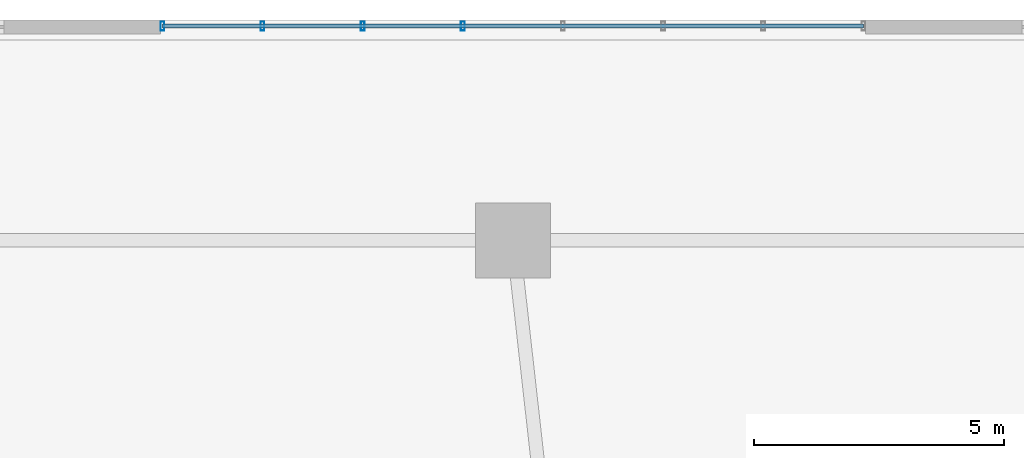
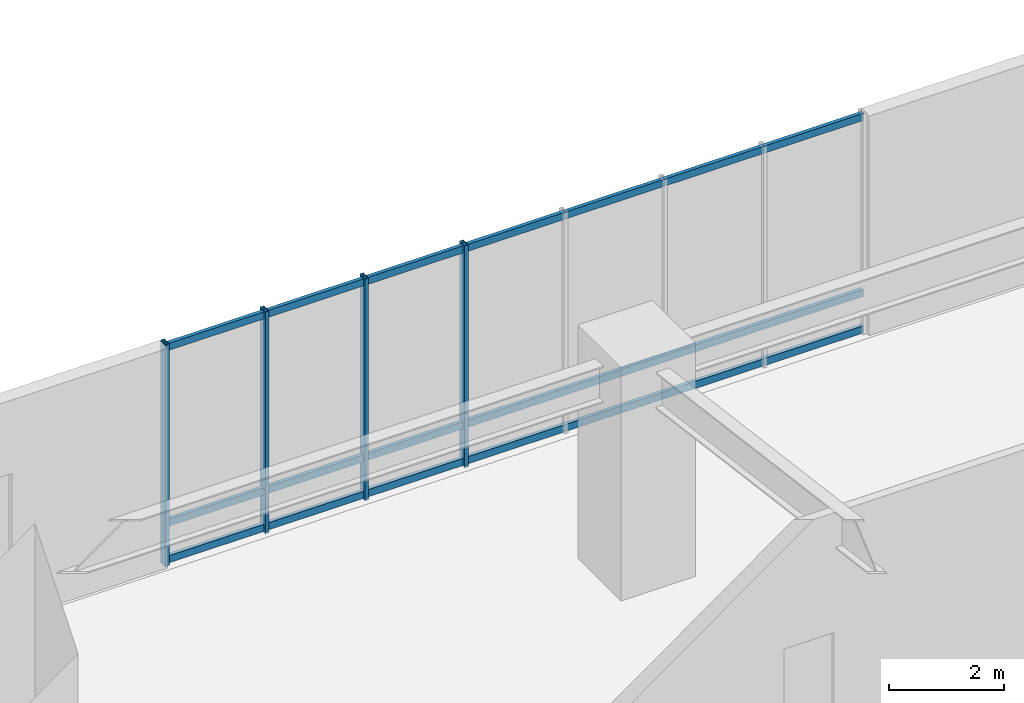
# One storey, part 8 of 18: 7 members, 1 element without a shape of its own.
"""IFC4 building model written with IfcOpenShell, lengths in metres."""

import ifcopenshell
import ifcopenshell.guid

model = None  # the IFC model being written
_history = None  # IfcOwnerHistory: only IFC2X3 demands one
_inside = {}  # id of a spatial element -> (the spatial element, [elements in it])
_under = {}  # id of a project, library or spatial element -> (it, [spatial elements below it])
_declared = {}  # id of a project -> (the project, [libraries it declares])
_typed = {}  # id of a type object -> (the type object, [elements of that type])
_made_of = {}  # id of a material, layer set ... -> (it, [elements and type objects made of it])


def new_model(schema):
    """Start an empty IFC model of exactly this schema.

    Asked for "IFC4X3", IfcOpenShell would pick the latest addendum, in which some entities
    have other attributes; the version numbers below select the first issue.
    IFC2X3 requires an IfcOwnerHistory on every rooted entity: one is made here for all.
    """
    global model, _history
    if schema == "IFC4X3":
        model = ifcopenshell.file(schema_version=(4, 3, 0, 0))
    else:
        model = ifcopenshell.file(schema=schema)
    _inside.clear()
    _under.clear()
    _declared.clear()
    _typed.clear()
    _made_of.clear()
    _history = None
    if model.schema == "IFC2X3":
        org = make("IfcOrganization", Name="unknown")
        user = make(
            "IfcPersonAndOrganization",
            ThePerson=make("IfcPerson", FamilyName="unknown"),
            TheOrganization=org,
        )
        app = make(
            "IfcApplication",
            ApplicationDeveloper=org,
            Version="unknown",
            ApplicationFullName="unknown",
            ApplicationIdentifier="unknown",
        )
        _history = make(
            "IfcOwnerHistory",
            OwningUser=user,
            OwningApplication=app,
            ChangeAction="ADDED",
            CreationDate=0,
        )
    return model


def make(cls, **values):
    """One entity of the class cls with the attributes given. An attribute that is None is left unset."""
    return model.create_entity(
        cls, **{name: value for name, value in values.items() if value is not None}
    )


def rooted(cls, **values):
    """An entity with a GlobalId (a new one), such as an element, a storey or a relation."""
    return make(cls, GlobalId=ifcopenshell.guid.new(), OwnerHistory=_history, **values)


def si_unit(unit_type, name, prefix=None):
    """IfcSIUnit, for example si_unit("LENGTHUNIT", "METRE", prefix="MILLI")."""
    return make("IfcSIUnit", UnitType=unit_type, Prefix=prefix, Name=name)


def assignment(units):
    """IfcUnitAssignment: the units of a project."""
    return None if units is None else make("IfcUnitAssignment", Units=units)


def point(xyz):
    """IfcCartesianPoint."""
    return None if xyz is None else make("IfcCartesianPoint", Coordinates=xyz)


def direction(xyz):
    """IfcDirection."""
    return None if xyz is None else make("IfcDirection", DirectionRatios=xyz)


def frame(location, z_axis=None, x_axis=None):
    """IfcAxis2Placement3D, a coordinate frame: its origin and axes. An axis left out is left unset."""
    return make(
        "IfcAxis2Placement3D",
        Location=point(location),
        Axis=direction(z_axis),
        RefDirection=direction(x_axis),
    )


def frame_2d(location, x_axis=None):
    """IfcAxis2Placement2D, a coordinate frame in the plane: its origin and x axis."""
    return make(
        "IfcAxis2Placement2D", Location=point(location), RefDirection=direction(x_axis)
    )


def origin():
    """The frame at (0, 0, 0) with its axes left unset."""
    return frame((0.0, 0.0, 0.0))


def origin_2d():
    """The frame at (0, 0) in the plane with its x axis left unset."""
    return frame_2d((0.0, 0.0))


def place(relative_to, where):
    """IfcLocalPlacement: puts the frame where relative to a parent placement (None: the world)."""
    return make(
        "IfcLocalPlacement", PlacementRelTo=relative_to, RelativePlacement=where
    )


def context(
    kind, dimensions, precision=None, world=None, true_north=None, identifier=None
):
    """IfcGeometricRepresentationContext, for example the 3D "Model" context."""
    return make(
        "IfcGeometricRepresentationContext",
        ContextIdentifier=identifier,
        ContextType=kind,
        CoordinateSpaceDimension=dimensions,
        Precision=precision,
        WorldCoordinateSystem=world,
        TrueNorth=true_north,
    )


def subcontext(parent, identifier, kind, view, scale=None):
    """IfcGeometricRepresentationSubContext, for example "Body" below "Model"."""
    return make(
        "IfcGeometricRepresentationSubContext",
        ContextIdentifier=identifier,
        ContextType=kind,
        ParentContext=parent,
        TargetScale=scale,
        TargetView=view,
    )


def project(units=None, contexts=None):
    """IfcProject with its units and contexts."""
    return rooted(
        "IfcProject",
        Name="project",
        RepresentationContexts=contexts,
        UnitsInContext=assignment(units),
    )


def spatial(cls, under=None, at=None, **own):
    """A site, building, storey or space (cls), placed at a placement, below another one or the project."""
    s = rooted(cls, ObjectPlacement=at, **own)
    if under is not None:
        _under.setdefault(under.id(), (under, []))[1].append(s)
    return s


def profile(cls, at=None, kind="AREA", **sizes):
    """A parametric profile (cls). Its sizes go by their IFC names, for example OverallWidth=200.0."""
    return make(cls, ProfileType=kind, Position=at, **sizes)


def hollow_rectangle(**sizes):
    """IfcRectangleHollowProfileDef."""
    return profile("IfcRectangleHollowProfileDef", **sizes)


def extrude(swept, where, along, depth):
    """IfcExtrudedAreaSolid: the profile swept, set in the frame where, extruded along a direction by depth."""
    return make(
        "IfcExtrudedAreaSolid",
        SweptArea=swept,
        Position=where,
        ExtrudedDirection=direction(along),
        Depth=depth,
    )


def shape(context_of_items, identifier, shape_type, items):
    """IfcShapeRepresentation: the items that make up one representation, for example the "Body"."""
    return make(
        "IfcShapeRepresentation",
        ContextOfItems=context_of_items,
        RepresentationIdentifier=identifier,
        RepresentationType=shape_type,
        Items=items,
    )


def material(Name=None, Category=None):
    """IfcMaterial."""
    return make("IfcMaterial", Name=Name, Category=Category)


def material_profile(
    of_material, cross_section, Name=None, Category=None, Priority=None
):
    """IfcMaterialProfile: a cross section and its material."""
    return make(
        "IfcMaterialProfile",
        Name=Name,
        Material=of_material,
        Profile=cross_section,
        Priority=Priority,
        Category=Category,
    )


def profile_set(profiles, Name=None, composite=None):
    """IfcMaterialProfileSet."""
    return make(
        "IfcMaterialProfileSet",
        Name=Name,
        MaterialProfiles=profiles,
        CompositeProfile=composite,
    )


def made_of(thing, what):
    """Note that an element or type object is made of a material, layer set ...; save() writes the relation."""
    if what is not None:
        _made_of.setdefault(what.id(), (what, []))[1].append(thing)
    return thing


def type_object(cls, material=None, **own):
    """A type object (cls), such as IfcWallType, which elements share."""
    return made_of(rooted(cls, **own), material)


def element(
    cls,
    number,
    at=None,
    inside=None,
    cuts=None,
    type_object=None,
    material=None,
    context=None,
    identifier="Body",
    shape_type=None,
    held_by="IfcProductDefinitionShape",
    body=None,
    shapes=None,
    **own,
):
    """One element of the class cls, such as IfcWall. Its Tag is "e" and its number.

    at: its placement. inside: the storey or other place that contains it. cuts: it is an
    opening in that element (IfcRelVoidsElement). A single representation is given by context,
    identifier, shape_type and body (its items); several are given by shapes. held_by: the class
    of the entity that holds the representations. save() writes the other relations.
    """
    e = rooted(cls, Tag="e%d" % number, ObjectPlacement=at, **own)
    if body is not None:
        shapes = [shape(context, identifier, shape_type, body)]
    if shapes is not None:
        e.Representation = make(held_by, Representations=shapes)
    if inside is not None:
        _inside.setdefault(inside.id(), (inside, []))[1].append(e)
    if cuts is not None:
        rooted(
            "IfcRelVoidsElement", RelatingBuildingElement=cuts, RelatedOpeningElement=e
        )
    if type_object is not None:
        _typed.setdefault(type_object.id(), (type_object, []))[1].append(e)
    return made_of(e, material)


def aggregate(whole, parts):
    """IfcRelAggregates: a whole, such as a stair, and the parts it consists of."""
    return rooted("IfcRelAggregates", RelatingObject=whole, RelatedObjects=parts)


def save(model, path):
    """Write the relations noted so far, then the file.

    IfcRelAggregates (storeys below a building ...), IfcRelContainedInSpatialStructure (elements
    in a storey), IfcRelDefinesByType, IfcRelAssociatesMaterial and IfcRelDeclares: one each for
    every whole, place, type object, material and project.
    """
    for whole, parts in _under.values():
        aggregate(whole, parts)
    for where, things in _inside.values():
        rooted(
            "IfcRelContainedInSpatialStructure",
            RelatedElements=things,
            RelatingStructure=where,
        )
    for kind, things in _typed.values():
        rooted("IfcRelDefinesByType", RelatedObjects=things, RelatingType=kind)
    for what, things in _made_of.values():
        rooted("IfcRelAssociatesMaterial", RelatedObjects=things, RelatingMaterial=what)
    for by, libraries in _declared.values():
        rooted("IfcRelDeclares", RelatingContext=by, RelatedDefinitions=libraries)
    model.write(path)


model = new_model("IFC4")

# Units and contexts
model_context = context("Model", 3, precision=1e-05, world=origin(), true_north=direction((0.0, 1.0)))
body_context = subcontext(model_context, "Body", "Model", "MODEL_VIEW")
ifc_project = project(units=[si_unit("LENGTHUNIT", "METRE"), si_unit("AREAUNIT", "SQUARE_METRE"), si_unit("VOLUMEUNIT", "CUBIC_METRE"), si_unit("PLANEANGLEUNIT", "RADIAN"), si_unit("MASSUNIT", "GRAM", prefix="KILO")], contexts=[model_context])

# Site, building, storey
site_placement = place(None, origin())
site = spatial("IfcSite", under=ifc_project, at=site_placement, CompositionType="ELEMENT")
building_placement = place(site_placement, origin())
building = spatial("IfcBuilding", under=site, at=building_placement, Name="Zulverin Broadcast Headquarters", CompositionType="ELEMENT")
storey_placement = place(building_placement, origin())
storey = spatial("IfcBuildingStorey", under=building, at=storey_placement, Name="L00", CompositionType="ELEMENT", Elevation=0.0)

# Curtain wall, members
ifc_material_1 = material(Name="Pale-metal unitised podium curtain wall", Category="aluminium")
curtain_wall_type = type_object("IfcCurtainWallType", Name="CW-POD", PredefinedType="USERDEFINED", material=ifc_material_1)
curtain_wall_placement = place(storey_placement, origin())
curtain_wall = element("IfcCurtainWall", 1, at=curtain_wall_placement, inside=storey, type_object=curtain_wall_type, Name="L00 Unitised Curtain Wall CW-L00-N2", ObjectType="UNITISED CURTAIN WALL", PredefinedType="USERDEFINED")
ifc_material_2 = material(Name="Anodized pale-metal aluminium alloy 6063-T6", Category="aluminium")
ifc_material_profile_1 = material_profile(ifc_material_2, hollow_rectangle(XDim=0.074951171875, YDim=0.179931640625, WallThickness=0.0048828125, at=origin_2d()), Name="Anodized pale-metal aluminium alloy 6063-T6", Category="aluminium")
ifc_profile_set_1 = profile_set([ifc_material_profile_1], Name="Anodized pale-metal aluminium alloy 6063-T6")
member_type_1 = type_object("IfcMemberType", Name="CW-MUL-180", PredefinedType="MULLION", material=ifc_profile_set_1)
member_1_placement = place(storey_placement, frame((36.0, 50.280029296875, -0.030029296875), z_axis=(0.0, 0.0, 1.0), x_axis=(-1.0, 0.0, 0.0)))
member_1 = element("IfcMember", 2, at=member_1_placement, type_object=member_type_1, Name="CW-L00-N2 Mullion 04", PredefinedType="MULLION", context=body_context, shape_type="SweptSolid", body=[
    extrude(hollow_rectangle(XDim=0.074951171875, YDim=0.179931640625, WallThickness=0.0048828125, at=origin_2d()), origin(), (0.0, 0.0, 1.0), 4.719970703125),
])
member_2_placement = place(storey_placement, frame((34.0, 50.280029296875, -0.030029296875), z_axis=(0.0, 0.0, 1.0), x_axis=(-1.0, 0.0, 0.0)))
member_2 = element("IfcMember", 3, at=member_2_placement, type_object=member_type_1, Name="CW-L00-N2 Mullion 05", PredefinedType="MULLION", context=body_context, shape_type="SweptSolid", body=[
    extrude(hollow_rectangle(XDim=0.074951171875, YDim=0.179931640625, WallThickness=0.0048828125, at=origin_2d()), origin(), (0.0, 0.0, 1.0), 4.719970703125),
])
member_3_placement = place(storey_placement, frame((32.0, 50.280029296875, -0.030029296875), z_axis=(0.0, 0.0, 1.0), x_axis=(-1.0, 0.0, 0.0)))
member_3 = element("IfcMember", 4, at=member_3_placement, type_object=member_type_1, Name="CW-L00-N2 Mullion 06", PredefinedType="MULLION", context=body_context, shape_type="SweptSolid", body=[
    extrude(hollow_rectangle(XDim=0.074951171875, YDim=0.179931640625, WallThickness=0.0048828125, at=origin_2d()), origin(), (0.0, 0.0, 1.0), 4.719970703125),
])
member_4_placement = place(storey_placement, frame((30.0, 50.280029296875, -0.030029296875), z_axis=(0.0, 0.0, 1.0), x_axis=(-1.0, 0.0, 0.0)))
member_4 = element("IfcMember", 5, at=member_4_placement, type_object=member_type_1, Name="CW-L00-N2 Mullion 07", PredefinedType="MULLION", context=body_context, shape_type="SweptSolid", body=[
    extrude(hollow_rectangle(XDim=0.074951171875, YDim=0.179931640625, WallThickness=0.0048828125, at=origin_2d()), origin(), (0.0, 0.0, 1.0), 4.719970703125),
])
ifc_material_profile_2 = material_profile(ifc_material_2, hollow_rectangle(XDim=0.074951171875, YDim=0.14990234375, WallThickness=0.0048828125, at=origin_2d()), Name="Anodized pale-metal aluminium alloy 6063-T6", Category="aluminium")
ifc_profile_set_2 = profile_set([ifc_material_profile_2], Name="Anodized pale-metal aluminium alloy 6063-T6")
member_type_2 = type_object("IfcMemberType", Name="CW-TRN-150", PredefinedType="USERDEFINED", material=ifc_profile_set_2)
member_5_placement = place(storey_placement, frame((44.0, 50.280029296875, 0.074951171875), z_axis=(-1.0, 0.0, 0.0), x_axis=(0.0, -1.0, 0.0)))
member_5 = element("IfcMember", 6, at=member_5_placement, type_object=member_type_2, Name="CW-L00-N2 Transom 0", ObjectType="TRANSOM", PredefinedType="USERDEFINED", context=body_context, shape_type="SweptSolid", body=[
    extrude(hollow_rectangle(XDim=0.074951171875, YDim=0.14990234375, WallThickness=0.0048828125, at=origin_2d()), origin(), (0.0, 0.0, 1.0), 14.0),
])
member_6_placement = place(storey_placement, frame((44.0, 50.280029296875, 0.85009765625), z_axis=(-1.0, 0.0, 0.0), x_axis=(0.0, -1.0, 0.0)))
member_6 = element("IfcMember", 7, at=member_6_placement, type_object=member_type_2, Name="CW-L00-N2 Transom 1", ObjectType="TRANSOM", PredefinedType="USERDEFINED", context=body_context, shape_type="SweptSolid", body=[
    extrude(hollow_rectangle(XDim=0.074951171875, YDim=0.14990234375, WallThickness=0.0048828125, at=origin_2d()), origin(), (0.0, 0.0, 1.0), 14.0),
])
member_7_placement = place(storey_placement, frame((44.0, 50.280029296875, 4.5849609375), z_axis=(-1.0, 0.0, 0.0), x_axis=(0.0, -1.0, 0.0)))
member_7 = element("IfcMember", 8, at=member_7_placement, type_object=member_type_2, Name="CW-L00-N2 Transom 2", ObjectType="TRANSOM", PredefinedType="USERDEFINED", context=body_context, shape_type="SweptSolid", body=[
    extrude(hollow_rectangle(XDim=0.074951171875, YDim=0.14990234375, WallThickness=0.0048828125, at=origin_2d()), origin(), (0.0, 0.0, 1.0), 14.0),
])
aggregate(curtain_wall, [member_1, member_2, member_3, member_4, member_5, member_6, member_7])

save(model, "model.ifc")
